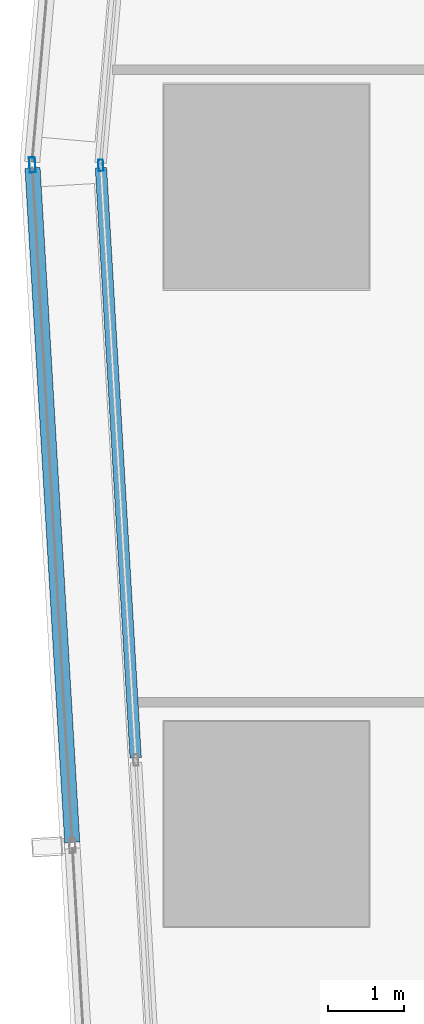
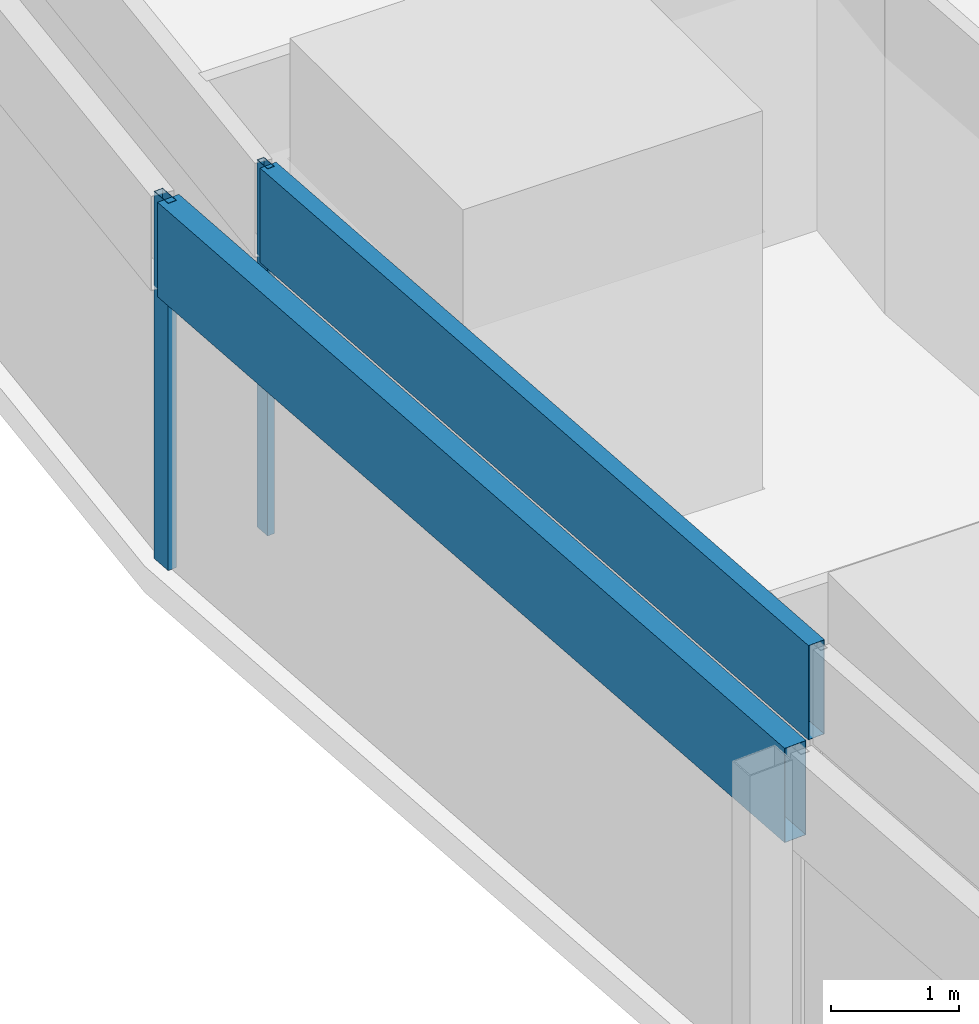
# One storey, part 7 of 36: 4 members, 2 elements without a shape of their own.
"""IFC4 building model written with IfcOpenShell, lengths in metres."""

from ifc_helpers import new_model, si_unit, direction, frame, origin, origin_2d, place, context, subcontext, project, spatial, hollow_rectangle, extrude, material, material_profile, profile_set, type_object, element, aggregate, save


model = new_model("IFC4")

# Units and contexts
model_context = context("Model", 3, precision=1e-05, world=origin(), true_north=direction((0.0, 1.0)))
body_context = subcontext(model_context, "Body", "Model", "MODEL_VIEW")
ifc_project = project(units=[si_unit("LENGTHUNIT", "METRE"), si_unit("AREAUNIT", "SQUARE_METRE"), si_unit("VOLUMEUNIT", "CUBIC_METRE"), si_unit("PLANEANGLEUNIT", "RADIAN"), si_unit("MASSUNIT", "GRAM", prefix="KILO")], contexts=[model_context])

# Site, building, storey
site_placement = place(None, origin())
site = spatial("IfcSite", under=ifc_project, at=site_placement, CompositionType="ELEMENT")
building_placement = place(site_placement, origin())
building = spatial("IfcBuilding", under=site, at=building_placement, Name="Rekha Terrace Tower", CompositionType="ELEMENT")
storey_placement = place(building_placement, frame((0.0, 0.0, 172.699951171875)))
storey = spatial("IfcBuildingStorey", under=building, at=storey_placement, Name="L43", CompositionType="ELEMENT", Elevation=172.699951171875)

# Curtain wall, members
ifc_material_1 = material(Name="Aluminium framing", Category="aluminium")
curtain_wall_type_1 = type_object("IfcCurtainWallType", Name="CW1 double skin inner glazing", PredefinedType="USERDEFINED", material=ifc_material_1)
curtain_wall_1_placement = place(storey_placement, origin())
curtain_wall_1 = element("IfcCurtainWall", 1, at=curtain_wall_1_placement, inside=storey, type_object=curtain_wall_type_1, Name="CW1 double skin inner glazing", ObjectType="DOUBLE SKIN INNER GLAZING", PredefinedType="USERDEFINED")
ifc_material_2 = material(Name="Aluminium mullion section", Category="aluminium")
ifc_material_profile_1 = material_profile(ifc_material_2, hollow_rectangle(XDim=0.06494140625, YDim=0.14990234375, WallThickness=0.00390625, at=origin_2d()), Name="AL RHS 65x150")
ifc_profile_set_1 = profile_set([ifc_material_profile_1], Name="Aluminium mullion section")
member_type_1 = type_object("IfcMemberType", Name="CW1 mullion RHS 65 x 150", PredefinedType="MULLION", material=ifc_profile_set_1)
member_1_placement = place(storey_placement, frame((6.214599609375, 42.281982421875, 0.0), z_axis=(0.0, 0.0, 1.0), x_axis=(0.998271839266, 0.058765082569, 0.0)))
member_1 = element("IfcMember", 2, at=member_1_placement, type_object=member_type_1, Name="CW1 mullion 1", PredefinedType="MULLION", context=body_context, shape_type="SweptSolid", body=[
    extrude(hollow_rectangle(XDim=0.06494140625, YDim=0.14990234375, WallThickness=0.00390625, at=origin_2d()), origin(), (0.0, 0.0, 1.0), 3.5),
])
ifc_material_3 = material(Name="Insulated aluminium spandrel box", Category="aluminium")
ifc_material_profile_2 = material_profile(ifc_material_3, hollow_rectangle(XDim=0.14990234375, YDim=0.89990234375, WallThickness=0.0029296875, at=origin_2d()), Name="AL SPANDREL BOX 150x900")
ifc_profile_set_2 = profile_set([ifc_material_profile_2], Name="Insulated aluminium spandrel box")
member_type_2 = type_object("IfcMemberType", Name="CW1 spandrel transom 150 x 900", PredefinedType="USERDEFINED", material=ifc_profile_set_2)
member_2_placement = place(storey_placement, frame((6.216552734375, 42.24951171875, 3.050048828125), z_axis=(0.058764300708, -0.998271885291, 0.0), x_axis=(0.998271885291, 0.058764300708, 0.0)))
member_2 = element("IfcMember", 3, at=member_2_placement, type_object=member_type_2, Name="CW1 spandrel transom 1", ObjectType="TRANSOM", PredefinedType="USERDEFINED", context=body_context, shape_type="SweptSolid", body=[
    extrude(hollow_rectangle(XDim=0.14990234375, YDim=0.89990234375, WallThickness=0.0029296875, at=origin_2d()), origin(), (0.0, 0.0, 1.0), 7.78564453125),
])
aggregate(curtain_wall_1, [member_1, member_2])

curtain_wall_type_2 = type_object("IfcCurtainWallType", Name="CW2 double skin outer glazing", PredefinedType="USERDEFINED", material=ifc_material_1)
curtain_wall_2_placement = place(storey_placement, origin())
curtain_wall_2 = element("IfcCurtainWall", 4, at=curtain_wall_2_placement, inside=storey, type_object=curtain_wall_type_2, Name="CW2 double skin outer glazing", ObjectType="DOUBLE SKIN OUTER GLAZING", PredefinedType="USERDEFINED")
ifc_material_profile_3 = material_profile(ifc_material_2, hollow_rectangle(XDim=0.080078125, YDim=0.199951171875, WallThickness=0.00390625, at=origin_2d()), Name="AL RHS 80x200")
ifc_profile_set_3 = profile_set([ifc_material_profile_3], Name="Aluminium mullion section")
member_type_3 = type_object("IfcMemberType", Name="CW2 mullion RHS 80 x 200", PredefinedType="MULLION", material=ifc_profile_set_3)
member_3_placement = place(storey_placement, frame((5.312744140625, 42.287841796875, 0.0), z_axis=(0.0, 0.0, 1.0), x_axis=(0.99827183927, 0.058765082499, 0.0)))
member_3 = element("IfcMember", 5, at=member_3_placement, type_object=member_type_3, Name="CW2 mullion 1", PredefinedType="MULLION", context=body_context, shape_type="SweptSolid", body=[
    extrude(hollow_rectangle(XDim=0.080078125, YDim=0.199951171875, WallThickness=0.00390625, at=origin_2d()), origin(), (0.0, 0.0, 1.0), 3.5),
])
ifc_material_profile_4 = material_profile(ifc_material_3, hollow_rectangle(XDim=0.199951171875, YDim=0.89990234375, WallThickness=0.0029296875, at=origin_2d()), Name="AL SPANDREL BOX 200x900")
ifc_profile_set_4 = profile_set([ifc_material_profile_4], Name="Insulated aluminium spandrel box")
member_type_4 = type_object("IfcMemberType", Name="CW2 spandrel transom 200 x 900", PredefinedType="USERDEFINED", material=ifc_profile_set_4)
member_4_placement = place(storey_placement, frame((5.315185546875, 42.247802734375, 3.050048828125), z_axis=(0.058762207171, -0.998272008527, 0.0), x_axis=(0.998272008527, 0.058762207171, 0.0)))
member_4 = element("IfcMember", 6, at=member_4_placement, type_object=member_type_4, Name="CW2 spandrel transom 1", ObjectType="TRANSOM", PredefinedType="USERDEFINED", context=body_context, shape_type="SweptSolid", body=[
    extrude(hollow_rectangle(XDim=0.199951171875, YDim=0.89990234375, WallThickness=0.0029296875, at=origin_2d()), origin(), (0.0, 0.0, 1.0), 8.903564453125),
])
aggregate(curtain_wall_2, [member_3, member_4])

save(model, "model.ifc")
